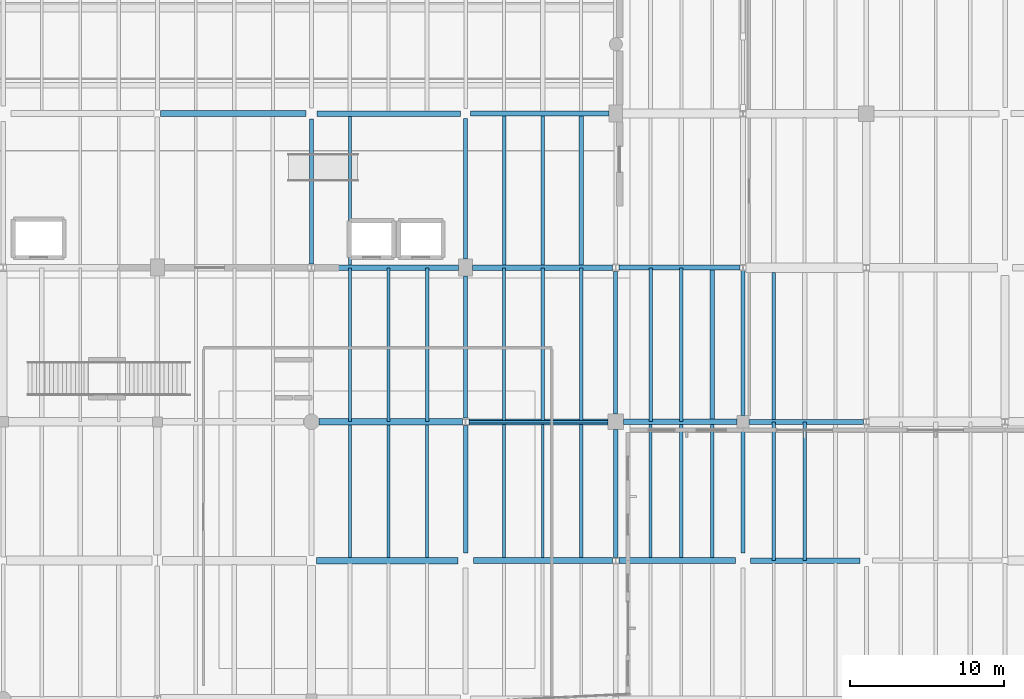
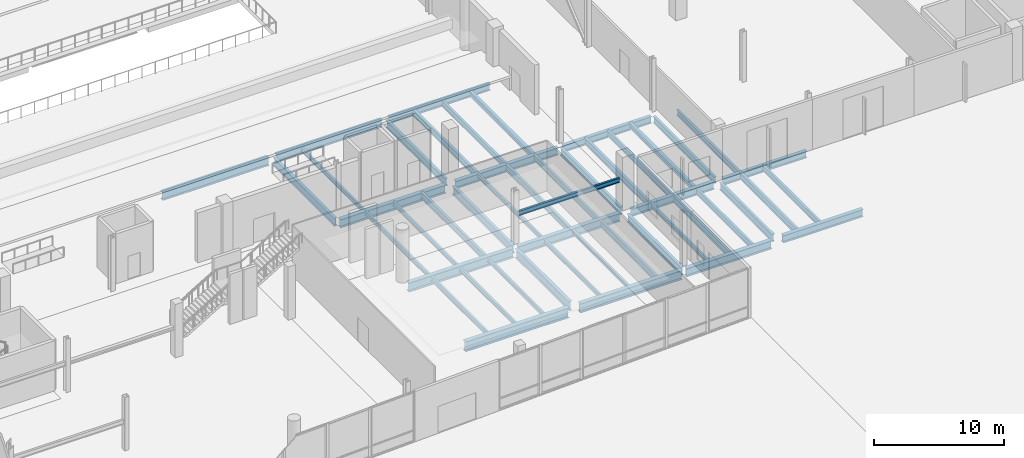
# One storey, part 33 of 88: 48 beams.
"""IFC4 building model written with IfcOpenShell, lengths in metres."""

from ifc_helpers import new_model, si_unit, direction, frame, origin, origin_2d, place, context, subcontext, project, spatial, i_section, extrude, material, material_profile, profile_set, type_object, element, save


model = new_model("IFC4")

# Units and contexts
model_context = context("Model", 3, precision=1e-05, world=origin(), true_north=direction((0.0, 1.0)))
body_context = subcontext(model_context, "Body", "Model", "MODEL_VIEW")
ifc_project = project(units=[si_unit("LENGTHUNIT", "METRE"), si_unit("AREAUNIT", "SQUARE_METRE"), si_unit("VOLUMEUNIT", "CUBIC_METRE"), si_unit("PLANEANGLEUNIT", "RADIAN"), si_unit("MASSUNIT", "GRAM", prefix="KILO")], contexts=[model_context])

# Site, building, storey
site_placement = place(None, origin())
site = spatial("IfcSite", under=ifc_project, at=site_placement, CompositionType="ELEMENT")
building_placement = place(site_placement, origin())
building = spatial("IfcBuilding", under=site, at=building_placement, Name="Trimount Lyric Opera House", CompositionType="ELEMENT")
storey_placement = place(building_placement, origin())
storey = spatial("IfcBuildingStorey", under=building, at=storey_placement, Name="L00", CompositionType="ELEMENT", Elevation=0.0)

# Beams
ifc_material_1 = material(Name="Steel ASTM A992 Grade 50", Category="steel")
ifc_material_profile_1 = material_profile(ifc_material_1, i_section(OverallWidth=0.4189453125, OverallDepth=0.927001953125, WebThickness=0.019287109375, FlangeThickness=0.031982421875, FilletRadius=0.02392578125, at=origin_2d()), Name="W36X231")
ifc_profile_set_1 = profile_set([ifc_material_profile_1], Name="Steel ASTM A992 Grade 50")
beam_type_1 = type_object("IfcBeamType", Name="B-02", PredefinedType="BEAM", material=ifc_profile_set_1)
beam_1_placement = place(storey_placement, frame((94.324951171875, 35.0, -0.843505859375), z_axis=(1.0, 0.0, 0.0), x_axis=(0.0, 1.0, 0.0)))
element("IfcBeam", 1, at=beam_1_placement, inside=storey, type_object=beam_type_1, Name="L00 girder X-0075", PredefinedType="BEAM", context=body_context, shape_type="SweptSolid", body=[
    extrude(i_section(OverallWidth=0.4189453125, OverallDepth=0.927001953125, WebThickness=0.019287109375, FlangeThickness=0.031982421875, FilletRadius=0.02392578125, at=origin_2d()), origin(), (0.0, 0.0, 1.0), 9.175048828125),
])
ifc_material_2 = material(Name="Steel ASTM A992 Grade 50", Category="steel")
ifc_material_profile_2 = material_profile(ifc_material_2, i_section(OverallWidth=0.40087890625, OverallDepth=0.861083984375, WebThickness=0.019775390625, FlangeThickness=0.032470703125, FilletRadius=0.02001953125, at=origin_2d()), Name="W33X221")
ifc_profile_set_2 = profile_set([ifc_material_profile_2], Name="Steel ASTM A992 Grade 50")
beam_type_2 = type_object("IfcBeamType", Name="B-04", PredefinedType="BEAM", material=ifc_profile_set_2)
beam_2_placement = place(storey_placement, frame((104.5, 35.0, -0.810546875), z_axis=(1.0, 0.0, 0.0), x_axis=(0.0, 1.0, 0.0)))
element("IfcBeam", 2, at=beam_2_placement, inside=storey, type_object=beam_type_2, Name="L00 girder X-0076", PredefinedType="BEAM", context=body_context, shape_type="SweptSolid", body=[
    extrude(i_section(OverallWidth=0.40087890625, OverallDepth=0.861083984375, WebThickness=0.019775390625, FlangeThickness=0.032470703125, FilletRadius=0.02001953125, at=origin_2d()), origin(), (0.0, 0.0, 1.0), 9.04052734375),
])
beam_3_placement = place(storey_placement, frame((94.5, 44.0, -0.810546875), z_axis=(1.0, 0.0, 0.0), x_axis=(0.0, 1.0, 0.0)))
element("IfcBeam", 3, at=beam_3_placement, inside=storey, type_object=beam_type_2, Name="L00 girder X-0094", PredefinedType="BEAM", context=body_context, shape_type="SweptSolid", body=[
    extrude(i_section(OverallWidth=0.40087890625, OverallDepth=0.861083984375, WebThickness=0.019775390625, FlangeThickness=0.032470703125, FilletRadius=0.02001953125, at=origin_2d()), origin(), (0.0, 0.0, 1.0), 9.2890625),
])
ifc_material_3 = material(Name="Steel ASTM A992 Grade 50", Category="steel")
ifc_material_profile_3 = material_profile(ifc_material_3, i_section(OverallWidth=0.2919921875, OverallDepth=0.845947265625, WebThickness=0.015380859375, FlangeThickness=0.0244140625, FilletRadius=0.01806640625, at=origin_2d()), Name="W33X141")
ifc_profile_set_3 = profile_set([ifc_material_profile_3], Name="Steel ASTM A992 Grade 50")
beam_type_3 = type_object("IfcBeamType", Name="B-05", PredefinedType="BEAM", material=ifc_profile_set_3)
beam_4_placement = place(storey_placement, frame((104.0, 35.5, -0.802978515625), z_axis=(0.0, 1.0, 0.0), x_axis=(-1.0, 0.0, 0.0)))
element("IfcBeam", 4, at=beam_4_placement, inside=storey, type_object=beam_type_3, Name="L00 girder Y-0361", PredefinedType="BEAM", context=body_context, shape_type="SweptSolid", body=[
    extrude(i_section(OverallWidth=0.2919921875, OverallDepth=0.845947265625, WebThickness=0.015380859375, FlangeThickness=0.0244140625, FilletRadius=0.01806640625, at=origin_2d()), origin(), (0.0, 0.0, 1.0), 8.267578125),
])
ifc_material_4 = material(Name="Steel ASTM A992 Grade 50", Category="steel")
ifc_material_profile_4 = material_profile(ifc_material_4, i_section(OverallWidth=0.382080078125, OverallDepth=0.779052734375, WebThickness=0.01806640625, FlangeThickness=0.0302734375, FilletRadius=0.01904296875, at=origin_2d()), Name="W30X191")
ifc_profile_set_4 = profile_set([ifc_material_profile_4], Name="Steel ASTM A992 Grade 50")
beam_type_4 = type_object("IfcBeamType", Name="B-06", PredefinedType="BEAM", material=ifc_profile_set_4)
beam_5_placement = place(storey_placement, frame((113.939453125, 35.0, -0.76953125), z_axis=(1.0, 0.0, 0.0), x_axis=(0.0, 1.0, 0.0)))
element("IfcBeam", 5, at=beam_5_placement, inside=storey, type_object=beam_type_4, Name="L00 girder X-0077", PredefinedType="BEAM", context=body_context, shape_type="SweptSolid", body=[
    extrude(i_section(OverallWidth=0.382080078125, OverallDepth=0.779052734375, WebThickness=0.01806640625, FlangeThickness=0.0302734375, FilletRadius=0.01904296875, at=origin_2d()), origin(), (0.0, 0.0, 1.0), 7.560546875),
])
beam_6_placement = place(storey_placement, frame((104.2109375, 44.0, -0.76953125), z_axis=(1.0, 0.0, 0.0), x_axis=(0.0, 1.0, 0.0)))
element("IfcBeam", 6, at=beam_6_placement, inside=storey, type_object=beam_type_4, Name="L00 girder X-0095", PredefinedType="BEAM", context=body_context, shape_type="SweptSolid", body=[
    extrude(i_section(OverallWidth=0.382080078125, OverallDepth=0.779052734375, WebThickness=0.01806640625, FlangeThickness=0.0302734375, FilletRadius=0.01904296875, at=origin_2d()), origin(), (0.0, 0.0, 1.0), 9.029052734375),
])
beam_7_placement = place(storey_placement, frame((94.2109375, 54.0, -0.78955078125), z_axis=(1.0, 0.0, 0.0), x_axis=(0.0, 1.0, 0.0)))
element("IfcBeam", 7, at=beam_7_placement, inside=storey, type_object=beam_type_4, Name="L00 girder X-0113", PredefinedType="BEAM", context=body_context, shape_type="SweptSolid", body=[
    extrude(i_section(OverallWidth=0.382080078125, OverallDepth=0.779052734375, WebThickness=0.01806640625, FlangeThickness=0.0302734375, FilletRadius=0.01904296875, at=origin_2d()), origin(), (0.0, 0.0, 1.0), 9.339111328125),
])
beam_8_placement = place(storey_placement, frame((84.2109375, 64.0, -0.78955078125), z_axis=(1.0, 0.0, 0.0), x_axis=(0.0, 1.0, 0.0)))
element("IfcBeam", 8, at=beam_8_placement, inside=storey, type_object=beam_type_4, Name="L00 girder X-0131", PredefinedType="BEAM", context=body_context, shape_type="SweptSolid", body=[
    extrude(i_section(OverallWidth=0.382080078125, OverallDepth=0.779052734375, WebThickness=0.01806640625, FlangeThickness=0.0302734375, FilletRadius=0.01904296875, at=origin_2d()), origin(), (0.0, 0.0, 1.0), 9.43896484375),
])
ifc_material_5 = material(Name="Steel ASTM A992 Grade 50", Category="steel")
ifc_material_profile_5 = material_profile(ifc_material_5, i_section(OverallWidth=0.26708984375, OverallDepth=0.761962890625, WebThickness=0.014404296875, FlangeThickness=0.021484375, FilletRadius=0.01708984375, at=origin_2d()), Name="W30X116")
ifc_profile_set_5 = profile_set([ifc_material_profile_5], Name="Steel ASTM A992 Grade 50")
beam_type_5 = type_object("IfcBeamType", Name="B-07", PredefinedType="BEAM", material=ifc_profile_set_5)
beam_9_placement = place(storey_placement, frame((94.0, 54.232421875, -0.781005859375), z_axis=(0.0, 1.0, 0.0), x_axis=(-1.0, 0.0, 0.0)))
element("IfcBeam", 9, at=beam_9_placement, inside=storey, type_object=beam_type_5, Name="L00 girder Y-0351", PredefinedType="BEAM", context=body_context, shape_type="SweptSolid", body=[
    extrude(i_section(OverallWidth=0.26708984375, OverallDepth=0.761962890625, WebThickness=0.014404296875, FlangeThickness=0.021484375, FilletRadius=0.01708984375, at=origin_2d()), origin(), (0.0, 0.0, 1.0), 9.41748046875),
])
beam_10_placement = place(storey_placement, frame((104.0, 44.232421875, -0.781005859375), z_axis=(0.0, 1.0, 0.0), x_axis=(-1.0, 0.0, 0.0)))
element("IfcBeam", 10, at=beam_10_placement, inside=storey, type_object=beam_type_5, Name="L00 girder Y-0362", PredefinedType="BEAM", context=body_context, shape_type="SweptSolid", body=[
    extrude(i_section(OverallWidth=0.26708984375, OverallDepth=0.761962890625, WebThickness=0.014404296875, FlangeThickness=0.021484375, FilletRadius=0.01708984375, at=origin_2d()), origin(), (0.0, 0.0, 1.0), 9.217529296875),
])
beam_11_placement = place(storey_placement, frame((113.739990234375, 35.193115234375, -0.760986328125), z_axis=(0.0, 1.0, 0.0), x_axis=(-1.0, 0.0, 0.0)))
element("IfcBeam", 11, at=beam_11_placement, inside=storey, type_object=beam_type_5, Name="L00 girder Y-0373", PredefinedType="BEAM", context=body_context, shape_type="SweptSolid", body=[
    extrude(i_section(OverallWidth=0.26708984375, OverallDepth=0.761962890625, WebThickness=0.014404296875, FlangeThickness=0.021484375, FilletRadius=0.01708984375, at=origin_2d()), origin(), (0.0, 0.0, 1.0), 8.306884765625),
])
ifc_material_6 = material(Name="Steel ASTM A992 Grade 50", Category="steel")
ifc_material_profile_6 = material_profile(ifc_material_6, i_section(OverallWidth=0.35595703125, OverallDepth=0.700927734375, WebThickness=0.016845703125, FlangeThickness=0.02734375, FilletRadius=0.01806640625, at=origin_2d()), Name="W27X161")
ifc_profile_set_6 = profile_set([ifc_material_profile_6], Name="Steel ASTM A992 Grade 50")
beam_type_6 = type_object("IfcBeamType", Name="B-08", PredefinedType="BEAM", material=ifc_profile_set_6)
beam_12_placement = place(storey_placement, frame((122.5, 35.0, -0.650390625), z_axis=(1.0, 0.0, 0.0), x_axis=(0.0, 1.0, 0.0)))
element("IfcBeam", 12, at=beam_12_placement, inside=storey, type_object=beam_type_6, Name="L00 girder X-0078", PredefinedType="BEAM", context=body_context, shape_type="SweptSolid", body=[
    extrude(i_section(OverallWidth=0.35595703125, OverallDepth=0.700927734375, WebThickness=0.016845703125, FlangeThickness=0.02734375, FilletRadius=0.01806640625, at=origin_2d()), origin(), (0.0, 0.0, 1.0), 7.10009765625),
])
beam_13_placement = place(storey_placement, frame((114.239990234375, 44.0, -0.73046875), z_axis=(1.0, 0.0, 0.0), x_axis=(0.0, 1.0, 0.0)))
element("IfcBeam", 13, at=beam_13_placement, inside=storey, type_object=beam_type_6, Name="L00 girder X-0096", PredefinedType="BEAM", context=body_context, shape_type="SweptSolid", body=[
    extrude(i_section(OverallWidth=0.35595703125, OverallDepth=0.700927734375, WebThickness=0.016845703125, FlangeThickness=0.02734375, FilletRadius=0.01806640625, at=origin_2d()), origin(), (0.0, 0.0, 1.0), 7.360107421875),
])
beam_14_placement = place(storey_placement, frame((104.449951171875, 54.0, -0.75048828125), z_axis=(1.0, 0.0, 0.0), x_axis=(0.0, 1.0, 0.0)))
element("IfcBeam", 14, at=beam_14_placement, inside=storey, type_object=beam_type_6, Name="L00 girder X-0114", PredefinedType="BEAM", context=body_context, shape_type="SweptSolid", body=[
    extrude(i_section(OverallWidth=0.35595703125, OverallDepth=0.700927734375, WebThickness=0.016845703125, FlangeThickness=0.02734375, FilletRadius=0.01806640625, at=origin_2d()), origin(), (0.0, 0.0, 1.0), 9.0791015625),
])
beam_15_placement = place(storey_placement, frame((94.35009765625, 64.0, -0.75048828125), z_axis=(1.0, 0.0, 0.0), x_axis=(0.0, 1.0, 0.0)))
element("IfcBeam", 15, at=beam_15_placement, inside=storey, type_object=beam_type_6, Name="L00 girder X-0132", PredefinedType="BEAM", context=body_context, shape_type="SweptSolid", body=[
    extrude(i_section(OverallWidth=0.35595703125, OverallDepth=0.700927734375, WebThickness=0.016845703125, FlangeThickness=0.02734375, FilletRadius=0.01806640625, at=origin_2d()), origin(), (0.0, 0.0, 1.0), 9.324951171875),
])
ifc_material_7 = material(Name="Steel ASTM A992 Grade 50", Category="steel")
ifc_material_profile_7 = material_profile(ifc_material_7, i_section(OverallWidth=0.25390625, OverallDepth=0.68798828125, WebThickness=0.01318359375, FlangeThickness=0.02099609375, FilletRadius=0.01611328125, at=origin_2d()), Name="W27X102")
ifc_profile_set_7 = profile_set([ifc_material_profile_7], Name="Steel ASTM A992 Grade 50")
beam_type_7 = type_object("IfcBeamType", Name="B-09", PredefinedType="BEAM", material=ifc_profile_set_7)
beam_16_placement = place(storey_placement, frame((104.0, 54.550048828125, -0.743896484375), z_axis=(0.0, 1.0, 0.0), x_axis=(-1.0, 0.0, 0.0)))
element("IfcBeam", 16, at=beam_16_placement, inside=storey, type_object=beam_type_7, Name="L00 girder Y-0363", PredefinedType="BEAM", context=body_context, shape_type="SweptSolid", body=[
    extrude(i_section(OverallWidth=0.25390625, OverallDepth=0.68798828125, WebThickness=0.01318359375, FlangeThickness=0.02099609375, FilletRadius=0.01611328125, at=origin_2d()), origin(), (0.0, 0.0, 1.0), 9.125),
])
beam_17_placement = place(storey_placement, frame((113.739990234375, 44.5, -0.743896484375), z_axis=(0.0, 1.0, 0.0), x_axis=(-1.0, 0.0, 0.0)))
element("IfcBeam", 17, at=beam_17_placement, inside=storey, type_object=beam_type_7, Name="L00 girder Y-0374", PredefinedType="BEAM", context=body_context, shape_type="SweptSolid", body=[
    extrude(i_section(OverallWidth=0.25390625, OverallDepth=0.68798828125, WebThickness=0.01318359375, FlangeThickness=0.02099609375, FilletRadius=0.01611328125, at=origin_2d()), origin(), (0.0, 0.0, 1.0), 9.267578125),
])
beam_18_placement = place(storey_placement, frame((122.0, 35.5, -0.72412109375), z_axis=(0.0, 1.0, 0.0), x_axis=(-1.0, 0.0, 0.0)))
element("IfcBeam", 18, at=beam_18_placement, inside=storey, type_object=beam_type_7, Name="L00 girder Y-0385", PredefinedType="BEAM", context=body_context, shape_type="SweptSolid", body=[
    extrude(i_section(OverallWidth=0.25390625, OverallDepth=0.68798828125, WebThickness=0.01318359375, FlangeThickness=0.02099609375, FilletRadius=0.01611328125, at=origin_2d()), origin(), (0.0, 0.0, 1.0), 8.10009765625),
])
ifc_material_8 = material(Name="Steel ASTM A992 Grade 50", Category="steel")
ifc_material_profile_8 = material_profile(ifc_material_8, i_section(OverallWidth=0.327880859375, OverallDepth=0.626953125, WebThickness=0.0166015625, FlangeThickness=0.027587890625, FilletRadius=0.01611328125, at=origin_2d()), Name="W24X146")
ifc_profile_set_8 = profile_set([ifc_material_profile_8], Name="Steel ASTM A992 Grade 50")
beam_type_8 = type_object("IfcBeamType", Name="B-10", PredefinedType="BEAM", material=ifc_profile_set_8)
beam_19_placement = place(storey_placement, frame((122.39990234375, 44.0, -0.693603515625), z_axis=(1.0, 0.0, 0.0), x_axis=(0.0, 1.0, 0.0)))
element("IfcBeam", 19, at=beam_19_placement, inside=storey, type_object=beam_type_8, Name="L00 girder X-0097", PredefinedType="BEAM", context=body_context, shape_type="SweptSolid", body=[
    extrude(i_section(OverallWidth=0.327880859375, OverallDepth=0.626953125, WebThickness=0.0166015625, FlangeThickness=0.027587890625, FilletRadius=0.01611328125, at=origin_2d()), origin(), (0.0, 0.0, 1.0), 7.41357421875),
])
beam_20_placement = place(storey_placement, frame((113.950927734375, 54.0, -0.71337890625), z_axis=(1.0, 0.0, 0.0), x_axis=(0.0, 1.0, 0.0)))
element("IfcBeam", 20, at=beam_20_placement, inside=storey, type_object=beam_type_8, Name="L00 girder X-0115", PredefinedType="BEAM", context=body_context, shape_type="SweptSolid", body=[
    extrude(i_section(OverallWidth=0.327880859375, OverallDepth=0.626953125, WebThickness=0.0166015625, FlangeThickness=0.027587890625, FilletRadius=0.01611328125, at=origin_2d()), origin(), (0.0, 0.0, 1.0), 7.862548828125),
])
beam_21_placement = place(storey_placement, frame((104.324951171875, 64.0, -0.71337890625), z_axis=(1.0, 0.0, 0.0), x_axis=(0.0, 1.0, 0.0)))
element("IfcBeam", 21, at=beam_21_placement, inside=storey, type_object=beam_type_8, Name="L00 girder X-0133", PredefinedType="BEAM", context=body_context, shape_type="SweptSolid", body=[
    extrude(i_section(OverallWidth=0.327880859375, OverallDepth=0.626953125, WebThickness=0.0166015625, FlangeThickness=0.027587890625, FilletRadius=0.01611328125, at=origin_2d()), origin(), (0.0, 0.0, 1.0), 8.965087890625),
])
ifc_material_9 = material(Name="Steel ASTM A992 Grade 50", Category="steel")
ifc_material_profile_9 = material_profile(ifc_material_9, i_section(OverallWidth=0.22998046875, OverallDepth=0.616943359375, WebThickness=0.01318359375, FlangeThickness=0.022216796875, FilletRadius=0.013916015625, at=origin_2d()), Name="W24X94")
ifc_profile_set_9 = profile_set([ifc_material_profile_9], Name="Steel ASTM A992 Grade 50")
beam_type_9 = type_object("IfcBeamType", Name="B-11", PredefinedType="BEAM", material=ifc_profile_set_9)
beam_22_placement = place(storey_placement, frame((122.0, 44.39990234375, -0.6884765625), z_axis=(0.0, 1.0, 0.0), x_axis=(-1.0, 0.0, 0.0)))
element("IfcBeam", 22, at=beam_22_placement, inside=storey, type_object=beam_type_9, Name="L00 girder Y-0386", PredefinedType="BEAM", context=body_context, shape_type="SweptSolid", body=[
    extrude(i_section(OverallWidth=0.22998046875, OverallDepth=0.616943359375, WebThickness=0.01318359375, FlangeThickness=0.022216796875, FilletRadius=0.013916015625, at=origin_2d()), origin(), (0.0, 0.0, 1.0), 9.416015625),
])
ifc_material_10 = material(Name="Steel ASTM A992 Grade 50", Category="steel")
ifc_material_profile_10 = material_profile(ifc_material_10, i_section(OverallWidth=0.22802734375, OverallDepth=0.60205078125, WebThickness=0.010498046875, FlangeThickness=0.014892578125, FilletRadius=0.012939453125, at=origin_2d()), Name="W24X68")
ifc_profile_set_10 = profile_set([ifc_material_profile_10], Name="Steel ASTM A992 Grade 50")
beam_type_10 = type_object("IfcBeamType", Name="J-01", PredefinedType="BEAM", material=ifc_profile_set_10)
beam_23_placement = place(storey_placement, frame((101.5, 44.011962890625, -0.700927734375), z_axis=(0.0, 1.0, 0.0), x_axis=(-1.0, 0.0, 0.0)))
element("IfcBeam", 23, at=beam_23_placement, inside=storey, type_object=beam_type_10, Name="L00 composite floor joist 0295", PredefinedType="BEAM", context=body_context, shape_type="SweptSolid", body=[
    extrude(i_section(OverallWidth=0.22802734375, OverallDepth=0.60205078125, WebThickness=0.010498046875, FlangeThickness=0.014892578125, FilletRadius=0.012939453125, at=origin_2d()), origin(), (0.0, 0.0, 1.0), 9.97607421875),
])
beam_24_placement = place(storey_placement, frame((111.5, 35.196533203125, -0.680908203125), z_axis=(0.0, 1.0, 0.0), x_axis=(-1.0, 0.0, 0.0)))
element("IfcBeam", 24, at=beam_24_placement, inside=storey, type_object=beam_type_10, Name="L00 composite floor joist 0320", PredefinedType="BEAM", context=body_context, shape_type="SweptSolid", body=[
    extrude(i_section(OverallWidth=0.22802734375, OverallDepth=0.60205078125, WebThickness=0.010498046875, FlangeThickness=0.014892578125, FilletRadius=0.012939453125, at=origin_2d()), origin(), (0.0, 0.0, 1.0), 8.616455078125),
])
beam_25_placement = place(storey_placement, frame((109.0, 44.011962890625, -0.700927734375), z_axis=(0.0, 1.0, 0.0), x_axis=(-1.0, 0.0, 0.0)))
element("IfcBeam", 25, at=beam_25_placement, inside=storey, type_object=beam_type_10, Name="L00 composite floor joist 0322", PredefinedType="BEAM", context=body_context, shape_type="SweptSolid", body=[
    extrude(i_section(OverallWidth=0.22802734375, OverallDepth=0.60205078125, WebThickness=0.010498046875, FlangeThickness=0.014892578125, FilletRadius=0.012939453125, at=origin_2d()), origin(), (0.0, 0.0, 1.0), 9.97607421875),
])
beam_26_placement = place(storey_placement, frame((106.5, 54.174072265625, -0.700927734375), z_axis=(0.0, 1.0, 0.0), x_axis=(-1.0, 0.0, 0.0)))
element("IfcBeam", 26, at=beam_26_placement, inside=storey, type_object=beam_type_10, Name="L00 composite floor joist 0324", PredefinedType="BEAM", context=body_context, shape_type="SweptSolid", body=[
    extrude(i_section(OverallWidth=0.22802734375, OverallDepth=0.60205078125, WebThickness=0.010498046875, FlangeThickness=0.014892578125, FilletRadius=0.012939453125, at=origin_2d()), origin(), (0.0, 0.0, 1.0), 9.666015625),
])
beam_27_placement = place(storey_placement, frame((118.0, 35.18701171875, -0.680908203125), z_axis=(0.0, 1.0, 0.0), x_axis=(-1.0, 0.0, 0.0)))
element("IfcBeam", 27, at=beam_27_placement, inside=storey, type_object=beam_type_10, Name="L00 composite floor joist 0349", PredefinedType="BEAM", context=body_context, shape_type="SweptSolid", body=[
    extrude(i_section(OverallWidth=0.22802734375, OverallDepth=0.60205078125, WebThickness=0.010498046875, FlangeThickness=0.014892578125, FilletRadius=0.012939453125, at=origin_2d()), origin(), (0.0, 0.0, 1.0), 8.638916015625),
])
beam_28_placement = place(storey_placement, frame((116.0, 44.011962890625, -0.680908203125), z_axis=(0.0, 1.0, 0.0), x_axis=(-1.0, 0.0, 0.0)))
element("IfcBeam", 28, at=beam_28_placement, inside=storey, type_object=beam_type_10, Name="L00 composite floor joist 0351", PredefinedType="BEAM", context=body_context, shape_type="SweptSolid", body=[
    extrude(i_section(OverallWidth=0.22802734375, OverallDepth=0.60205078125, WebThickness=0.010498046875, FlangeThickness=0.014892578125, FilletRadius=0.012939453125, at=origin_2d()), origin(), (0.0, 0.0, 1.0), 9.97607421875),
])
beam_29_placement = place(storey_placement, frame((124.0, 35.011962890625, -0.680908203125), z_axis=(0.0, 1.0, 0.0), x_axis=(-1.0, 0.0, 0.0)))
element("IfcBeam", 29, at=beam_29_placement, inside=storey, type_object=beam_type_10, Name="L00 composite floor joist 0381", PredefinedType="BEAM", context=body_context, shape_type="SweptSolid", body=[
    extrude(i_section(OverallWidth=0.22802734375, OverallDepth=0.60205078125, WebThickness=0.010498046875, FlangeThickness=0.014892578125, FilletRadius=0.012939453125, at=origin_2d()), origin(), (0.0, 0.0, 1.0), 8.97607421875),
])
ifc_material_11 = material(Name="Steel ASTM A992 Grade 50", Category="steel")
ifc_material_profile_11 = material_profile(ifc_material_11, i_section(OverallWidth=0.2099609375, OverallDepth=0.532958984375, WebThickness=0.01025390625, FlangeThickness=0.015625, FilletRadius=0.012939453125, at=origin_2d()), Name="W21X62")
ifc_profile_set_11 = profile_set([ifc_material_profile_11], Name="Steel ASTM A992 Grade 50")
beam_type_11 = type_object("IfcBeamType", Name="J-02", PredefinedType="BEAM", material=ifc_profile_set_11)
beam_30_placement = place(storey_placement, frame((111.5, 44.011962890625, -0.66650390625), z_axis=(0.0, 1.0, 0.0), x_axis=(-1.0, 0.0, 0.0)))
element("IfcBeam", 30, at=beam_30_placement, inside=storey, type_object=beam_type_11, Name="L00 composite floor joist 0323", PredefinedType="BEAM", context=body_context, shape_type="SweptSolid", body=[
    extrude(i_section(OverallWidth=0.2099609375, OverallDepth=0.532958984375, WebThickness=0.01025390625, FlangeThickness=0.015625, FilletRadius=0.012939453125, at=origin_2d()), origin(), (0.0, 0.0, 1.0), 9.97607421875),
])
beam_31_placement = place(storey_placement, frame((109.0, 54.174072265625, -0.66650390625), z_axis=(0.0, 1.0, 0.0), x_axis=(-1.0, 0.0, 0.0)))
element("IfcBeam", 31, at=beam_31_placement, inside=storey, type_object=beam_type_11, Name="L00 composite floor joist 0325", PredefinedType="BEAM", context=body_context, shape_type="SweptSolid", body=[
    extrude(i_section(OverallWidth=0.2099609375, OverallDepth=0.532958984375, WebThickness=0.01025390625, FlangeThickness=0.015625, FilletRadius=0.012939453125, at=origin_2d()), origin(), (0.0, 0.0, 1.0), 9.666015625),
])
beam_32_placement = place(storey_placement, frame((120.0, 35.18701171875, -0.646484375), z_axis=(0.0, 1.0, 0.0), x_axis=(-1.0, 0.0, 0.0)))
element("IfcBeam", 32, at=beam_32_placement, inside=storey, type_object=beam_type_11, Name="L00 composite floor joist 0350", PredefinedType="BEAM", context=body_context, shape_type="SweptSolid", body=[
    extrude(i_section(OverallWidth=0.2099609375, OverallDepth=0.532958984375, WebThickness=0.01025390625, FlangeThickness=0.015625, FilletRadius=0.012939453125, at=origin_2d()), origin(), (0.0, 0.0, 1.0), 8.638916015625),
])
beam_33_placement = place(storey_placement, frame((118.0, 44.011962890625, -0.646484375), z_axis=(0.0, 1.0, 0.0), x_axis=(-1.0, 0.0, 0.0)))
element("IfcBeam", 33, at=beam_33_placement, inside=storey, type_object=beam_type_11, Name="L00 composite floor joist 0352", PredefinedType="BEAM", context=body_context, shape_type="SweptSolid", body=[
    extrude(i_section(OverallWidth=0.2099609375, OverallDepth=0.532958984375, WebThickness=0.01025390625, FlangeThickness=0.015625, FilletRadius=0.012939453125, at=origin_2d()), origin(), (0.0, 0.0, 1.0), 9.97607421875),
])
beam_34_placement = place(storey_placement, frame((126.0, 35.011962890625, -0.646484375), z_axis=(0.0, 1.0, 0.0), x_axis=(-1.0, 0.0, 0.0)))
element("IfcBeam", 34, at=beam_34_placement, inside=storey, type_object=beam_type_11, Name="L00 composite floor joist 0382", PredefinedType="BEAM", context=body_context, shape_type="SweptSolid", body=[
    extrude(i_section(OverallWidth=0.2099609375, OverallDepth=0.532958984375, WebThickness=0.01025390625, FlangeThickness=0.015625, FilletRadius=0.012939453125, at=origin_2d()), origin(), (0.0, 0.0, 1.0), 8.97607421875),
])
beam_35_placement = place(storey_placement, frame((124.0, 44.159912109375, -0.646484375), z_axis=(0.0, 1.0, 0.0), x_axis=(-1.0, 0.0, 0.0)))
element("IfcBeam", 35, at=beam_35_placement, inside=storey, type_object=beam_type_11, Name="L00 composite floor joist 0384", PredefinedType="BEAM", context=body_context, shape_type="SweptSolid", body=[
    extrude(i_section(OverallWidth=0.2099609375, OverallDepth=0.532958984375, WebThickness=0.01025390625, FlangeThickness=0.015625, FilletRadius=0.012939453125, at=origin_2d()), origin(), (0.0, 0.0, 1.0), 9.544189453125),
])
ifc_material_12 = material(Name="Steel ASTM A992 Grade 50", Category="steel")
ifc_material_profile_12 = material_profile(ifc_material_12, i_section(OverallWidth=0.281982421875, OverallDepth=0.467041015625, WebThickness=0.01220703125, FlangeThickness=0.01953125, FilletRadius=0.012939453125, at=origin_2d()), Name="W18X86")
ifc_profile_set_12 = profile_set([ifc_material_profile_12], Name="Steel ASTM A992 Grade 50")
beam_type_12 = type_object("IfcBeamType", Name="J-03", PredefinedType="BEAM", material=ifc_profile_set_12)
beam_36_placement = place(storey_placement, frame((111.5, 54.174072265625, -0.633544921875), z_axis=(0.0, 1.0, 0.0), x_axis=(-1.0, 0.0, 0.0)))
element("IfcBeam", 36, at=beam_36_placement, inside=storey, type_object=beam_type_12, Name="L00 composite floor joist 0326", PredefinedType="BEAM", context=body_context, shape_type="SweptSolid", body=[
    extrude(i_section(OverallWidth=0.281982421875, OverallDepth=0.467041015625, WebThickness=0.01220703125, FlangeThickness=0.01953125, FilletRadius=0.012939453125, at=origin_2d()), origin(), (0.0, 0.0, 1.0), 9.666015625),
])
beam_37_placement = place(storey_placement, frame((120.0, 44.011962890625, -0.613525390625), z_axis=(0.0, 1.0, 0.0), x_axis=(-1.0, 0.0, 0.0)))
element("IfcBeam", 37, at=beam_37_placement, inside=storey, type_object=beam_type_12, Name="L00 composite floor joist 0353", PredefinedType="BEAM", context=body_context, shape_type="SweptSolid", body=[
    extrude(i_section(OverallWidth=0.281982421875, OverallDepth=0.467041015625, WebThickness=0.01220703125, FlangeThickness=0.01953125, FilletRadius=0.012939453125, at=origin_2d()), origin(), (0.0, 0.0, 1.0), 9.97607421875),
])
ifc_material_13 = material(Name="Steel ASTM A992 Grade 50", Category="steel")
ifc_material_profile_13 = material_profile(ifc_material_13, i_section(OverallWidth=0.19091796875, OverallDepth=0.45703125, WebThickness=0.009033203125, FlangeThickness=0.014404296875, FilletRadius=0.010986328125, at=origin_2d()), Name="W18X50")
ifc_profile_set_13 = profile_set([ifc_material_profile_13], Name="Steel ASTM A992 Grade 50")
beam_type_13 = type_object("IfcBeamType", Name="J-04", PredefinedType="BEAM", material=ifc_profile_set_13)
beam_38_placement = place(storey_placement, frame((96.5, 35.20556640625, -0.6083984375), z_axis=(0.0, 1.0, 0.0), x_axis=(-1.0, 0.0, 0.0)))
element("IfcBeam", 38, at=beam_38_placement, inside=storey, type_object=beam_type_13, Name="L00 composite floor joist 0290", PredefinedType="BEAM", context=body_context, shape_type="SweptSolid", body=[
    extrude(i_section(OverallWidth=0.19091796875, OverallDepth=0.45703125, WebThickness=0.009033203125, FlangeThickness=0.014404296875, FilletRadius=0.010986328125, at=origin_2d()), origin(), (0.0, 0.0, 1.0), 8.597900390625),
])
ifc_material_14 = material(Name="Steel ASTM A992 Grade 50", Category="steel")
ifc_material_profile_14 = material_profile(ifc_material_14, i_section(OverallWidth=0.180908203125, OverallDepth=0.4169921875, WebThickness=0.010986328125, FlangeThickness=0.018310546875, FilletRadius=0.010986328125, at=origin_2d()), Name="W16X57")
ifc_profile_set_14 = profile_set([ifc_material_profile_14], Name="Steel ASTM A992 Grade 50")
beam_type_14 = type_object("IfcBeamType", Name="J-05", PredefinedType="BEAM", material=ifc_profile_set_14)
beam_39_placement = place(storey_placement, frame((99.0, 35.20556640625, -0.58837890625), z_axis=(0.0, 1.0, 0.0), x_axis=(-1.0, 0.0, 0.0)))
element("IfcBeam", 39, at=beam_39_placement, inside=storey, type_object=beam_type_14, Name="L00 composite floor joist 0291", PredefinedType="BEAM", context=body_context, shape_type="SweptSolid", body=[
    extrude(i_section(OverallWidth=0.180908203125, OverallDepth=0.4169921875, WebThickness=0.010986328125, FlangeThickness=0.018310546875, FilletRadius=0.010986328125, at=origin_2d()), origin(), (0.0, 0.0, 1.0), 8.597900390625),
])
beam_40_placement = place(storey_placement, frame((96.5, 44.011962890625, -0.6083984375), z_axis=(0.0, 1.0, 0.0), x_axis=(-1.0, 0.0, 0.0)))
element("IfcBeam", 40, at=beam_40_placement, inside=storey, type_object=beam_type_14, Name="L00 composite floor joist 0293", PredefinedType="BEAM", context=body_context, shape_type="SweptSolid", body=[
    extrude(i_section(OverallWidth=0.180908203125, OverallDepth=0.4169921875, WebThickness=0.010986328125, FlangeThickness=0.018310546875, FilletRadius=0.010986328125, at=origin_2d()), origin(), (0.0, 0.0, 1.0), 9.97607421875),
])
beam_41_placement = place(storey_placement, frame((106.5, 35.196533203125, -0.58837890625), z_axis=(0.0, 1.0, 0.0), x_axis=(-1.0, 0.0, 0.0)))
element("IfcBeam", 41, at=beam_41_placement, inside=storey, type_object=beam_type_14, Name="L00 composite floor joist 0318", PredefinedType="BEAM", context=body_context, shape_type="SweptSolid", body=[
    extrude(i_section(OverallWidth=0.180908203125, OverallDepth=0.4169921875, WebThickness=0.010986328125, FlangeThickness=0.018310546875, FilletRadius=0.010986328125, at=origin_2d()), origin(), (0.0, 0.0, 1.0), 8.616455078125),
])
ifc_material_15 = material(Name="Steel ASTM A992 Grade 50", Category="steel")
ifc_material_profile_15 = material_profile(ifc_material_15, i_section(OverallWidth=0.177978515625, OverallDepth=0.404052734375, WebThickness=0.007568359375, FlangeThickness=0.010986328125, FilletRadius=0.010009765625, at=origin_2d()), Name="W16X36")
ifc_profile_set_15 = profile_set([ifc_material_profile_15], Name="Steel ASTM A992 Grade 50")
beam_type_15 = type_object("IfcBeamType", Name="J-06", PredefinedType="BEAM", material=ifc_profile_set_15)
beam_42_placement = place(storey_placement, frame((101.5, 35.20556640625, -0.58203125), z_axis=(0.0, 1.0, 0.0), x_axis=(-1.0, 0.0, 0.0)))
element("IfcBeam", 42, at=beam_42_placement, inside=storey, type_object=beam_type_15, Name="L00 composite floor joist 0292", PredefinedType="BEAM", context=body_context, shape_type="SweptSolid", body=[
    extrude(i_section(OverallWidth=0.177978515625, OverallDepth=0.404052734375, WebThickness=0.007568359375, FlangeThickness=0.010986328125, FilletRadius=0.010009765625, at=origin_2d()), origin(), (0.0, 0.0, 1.0), 8.597900390625),
])
beam_43_placement = place(storey_placement, frame((99.0, 44.011962890625, -0.60205078125), z_axis=(0.0, 1.0, 0.0), x_axis=(-1.0, 0.0, 0.0)))
element("IfcBeam", 43, at=beam_43_placement, inside=storey, type_object=beam_type_15, Name="L00 composite floor joist 0294", PredefinedType="BEAM", context=body_context, shape_type="SweptSolid", body=[
    extrude(i_section(OverallWidth=0.177978515625, OverallDepth=0.404052734375, WebThickness=0.007568359375, FlangeThickness=0.010986328125, FilletRadius=0.010009765625, at=origin_2d()), origin(), (0.0, 0.0, 1.0), 9.97607421875),
])
beam_44_placement = place(storey_placement, frame((96.5, 54.18701171875, -0.60205078125), z_axis=(0.0, 1.0, 0.0), x_axis=(-1.0, 0.0, 0.0)))
element("IfcBeam", 44, at=beam_44_placement, inside=storey, type_object=beam_type_15, Name="L00 composite floor joist 0296", PredefinedType="BEAM", context=body_context, shape_type="SweptSolid", body=[
    extrude(i_section(OverallWidth=0.177978515625, OverallDepth=0.404052734375, WebThickness=0.007568359375, FlangeThickness=0.010986328125, FilletRadius=0.010009765625, at=origin_2d()), origin(), (0.0, 0.0, 1.0), 9.638916015625),
])
beam_45_placement = place(storey_placement, frame((109.0, 35.196533203125, -0.58203125), z_axis=(0.0, 1.0, 0.0), x_axis=(-1.0, 0.0, 0.0)))
element("IfcBeam", 45, at=beam_45_placement, inside=storey, type_object=beam_type_15, Name="L00 composite floor joist 0319", PredefinedType="BEAM", context=body_context, shape_type="SweptSolid", body=[
    extrude(i_section(OverallWidth=0.177978515625, OverallDepth=0.404052734375, WebThickness=0.007568359375, FlangeThickness=0.010986328125, FilletRadius=0.010009765625, at=origin_2d()), origin(), (0.0, 0.0, 1.0), 8.616455078125),
])
beam_46_placement = place(storey_placement, frame((106.5, 44.011962890625, -0.60205078125), z_axis=(0.0, 1.0, 0.0), x_axis=(-1.0, 0.0, 0.0)))
element("IfcBeam", 46, at=beam_46_placement, inside=storey, type_object=beam_type_15, Name="L00 composite floor joist 0321", PredefinedType="BEAM", context=body_context, shape_type="SweptSolid", body=[
    extrude(i_section(OverallWidth=0.177978515625, OverallDepth=0.404052734375, WebThickness=0.007568359375, FlangeThickness=0.010986328125, FilletRadius=0.010009765625, at=origin_2d()), origin(), (0.0, 0.0, 1.0), 9.97607421875),
])
beam_47_placement = place(storey_placement, frame((116.0, 35.18701171875, -0.58203125), z_axis=(0.0, 1.0, 0.0), x_axis=(-1.0, 0.0, 0.0)))
element("IfcBeam", 47, at=beam_47_placement, inside=storey, type_object=beam_type_15, Name="L00 composite floor joist 0348", PredefinedType="BEAM", context=body_context, shape_type="SweptSolid", body=[
    extrude(i_section(OverallWidth=0.177978515625, OverallDepth=0.404052734375, WebThickness=0.007568359375, FlangeThickness=0.010986328125, FilletRadius=0.010009765625, at=origin_2d()), origin(), (0.0, 0.0, 1.0), 8.638916015625),
])
ifc_material_16 = material(Name="Steel ASTM A992 Grade 50", Category="steel")
ifc_material_profile_16 = material_profile(ifc_material_16, i_section(OverallWidth=0.180908203125, OverallDepth=0.4169921875, WebThickness=0.010986328125, FlangeThickness=0.018310546875, FilletRadius=0.010986328125, at=origin_2d()), Name="W16X57")
ifc_profile_set_16 = profile_set([ifc_material_profile_16], Name="Steel ASTM A992 Grade 50")
beam_type_16 = type_object("IfcBeamType", Name="LN-02", PredefinedType="LINTEL", material=ifc_profile_set_16)
beam_48_placement = place(storey_placement, frame((104.2109375, 44.0, 2.64990234375), z_axis=(1.0, 0.0, 0.0), x_axis=(0.0, 1.0, 0.0)))
element("IfcBeam", 48, at=beam_48_placement, inside=storey, type_object=beam_type_16, Name="L00 interior portal lintel 08", PredefinedType="LINTEL", context=body_context, shape_type="SweptSolid", body=[
    extrude(i_section(OverallWidth=0.180908203125, OverallDepth=0.4169921875, WebThickness=0.010986328125, FlangeThickness=0.018310546875, FilletRadius=0.010986328125, at=origin_2d()), origin(), (0.0, 0.0, 1.0), 9.029052734375),
])

save(model, "model.ifc")
